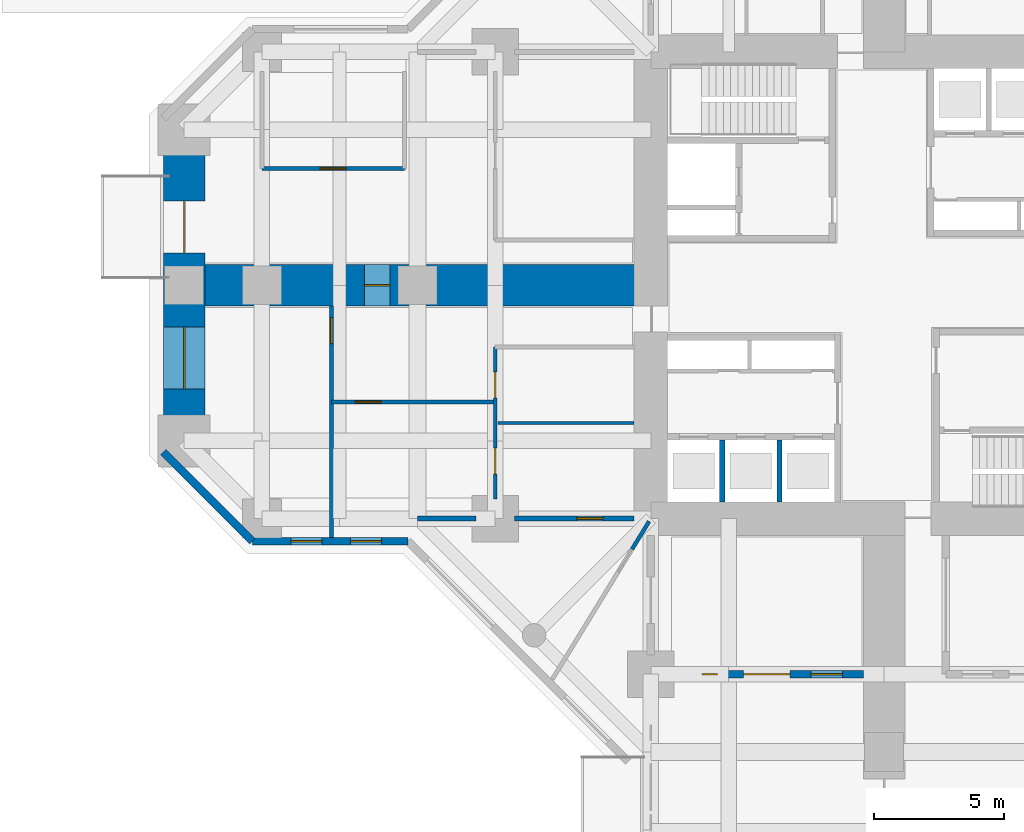
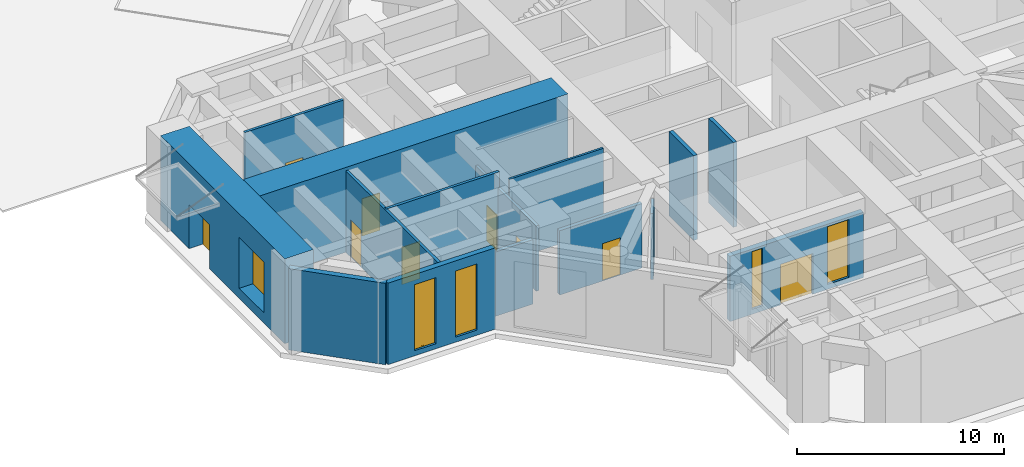
# One storey, part 5 of 14: 15 walls, 9 doors, 5 windows, 14 openings.
"""IFC4 building model written with IfcOpenShell, lengths in metres."""

from ifc_helpers import new_model, si_unit, direction, frame, frame_2d, origin, place, context, subcontext, project, spatial, rectangle, hollow_rectangle, extrude, material, layer, layer_set, constituent, constituent_set, type_object, element, fill, save


model = new_model("IFC4")

# Units and contexts
model_context = context("Model", 3, precision=1e-05, world=origin(), true_north=direction((0.0, 1.0)))
body_context = subcontext(model_context, "Body", "Model", "MODEL_VIEW")
ifc_project = project(units=[si_unit("LENGTHUNIT", "METRE"), si_unit("AREAUNIT", "SQUARE_METRE"), si_unit("VOLUMEUNIT", "CUBIC_METRE"), si_unit("PLANEANGLEUNIT", "RADIAN"), si_unit("MASSUNIT", "GRAM", prefix="KILO")], contexts=[model_context])

# Site, building, storey
site_placement = place(None, origin())
site = spatial("IfcSite", under=ifc_project, at=site_placement, CompositionType="ELEMENT")
building_placement = place(site_placement, origin())
building = spatial("IfcBuilding", under=site, at=building_placement, Name="Torre Cruceta", CompositionType="ELEMENT")
storey_placement = place(building_placement, origin())
storey = spatial("IfcBuildingStorey", under=building, at=storey_placement, Name="L00", CompositionType="ELEMENT", Elevation=0.0)

# Wall, openings, door, windows
ifc_material_1 = material(Name="Concrete G30 (fck 30 MPa)", Category="concrete")
ifc_layer_1 = layer(ifc_material_1, 0.300048828125)
ifc_layer_set_1 = layer_set([ifc_layer_1], Name="Concrete G30 (fck 30 MPa)")
wall_type_1 = type_object("IfcWallType", Name="CONCOURSE FRONT WALL 300", PredefinedType="SOLIDWALL", material=ifc_layer_set_1)
wall_1_placement = place(storey_placement, frame((-8.25, -15.0, 0.0), z_axis=(0.0, 0.0, 1.0), x_axis=(1.0, 0.0, 0.0)))
wall_1 = element("IfcWall", 1, at=wall_1_placement, inside=storey, type_object=wall_type_1, Name="EW3 L00-S-BFR", PredefinedType="SOLIDWALL", context=body_context, shape_type="SweptSolid", body=[
    extrude(rectangle(XDim=7.449951171875, YDim=0.300048828125, at=frame_2d((3.72509765625, 0.0))), origin(), (0.0, 0.0, 1.0), 3.85009765625),
])
opening_1_placement = place(wall_1_placement, frame((2.824951171875, 0.0, 0.0)))
opening_1 = element("IfcOpeningElement", 2, at=opening_1_placement, cuts=wall_1, Name="Opening D13", PredefinedType="OPENING", context=body_context, shape_type="SweptSolid", body=[
    extrude(rectangle(XDim=1.800048828125, YDim=2.39990234375, at=frame_2d((0.89990234375, 1.199951171875))), frame((0.0, 0.159912109375, 0.0), z_axis=(0.0, -1.0, 0.0), x_axis=(1.0, 0.0, 0.0)), (0.0, 0.0, 1.0), 0.320068359375),
])
opening_2_placement = place(wall_1_placement, frame((1.22509765625, 0.0, 0.300048828125)))
opening_2 = element("IfcOpeningElement", 3, at=opening_2_placement, cuts=wall_1, Name="Opening SF4", PredefinedType="OPENING", context=body_context, shape_type="SweptSolid", body=[
    extrude(rectangle(XDim=0.60009765625, YDim=3.39990234375, at=frame_2d((0.300048828125, 1.699951171875))), frame((0.0, 0.159912109375, 0.0), z_axis=(0.0, -1.0, 0.0), x_axis=(1.0, 0.0, 0.0)), (0.0, 0.0, 1.0), 0.320068359375),
])
opening_3_placement = place(wall_1_placement, frame((5.4375, 0.0, 0.300048828125)))
opening_3 = element("IfcOpeningElement", 4, at=opening_3_placement, cuts=wall_1, Name="Opening SF6", PredefinedType="OPENING", context=body_context, shape_type="SweptSolid", body=[
    extrude(rectangle(XDim=1.199951171875, YDim=3.39990234375, at=frame_2d((0.60009765625, 1.699951171875))), frame((0.0, 0.159912109375, 0.0), z_axis=(0.0, -1.0, 0.0), x_axis=(1.0, 0.0, 0.0)), (0.0, 0.0, 1.0), 0.320068359375),
])
ifc_material_2 = material(Name="Aluminium 6063-T6", Category="aluminium")
ifc_constituent_1 = constituent(ifc_material_2, Name="Frame")
ifc_material_3 = material(Name="Laminated safety glass", Category="glass")
ifc_constituent_2 = constituent(ifc_material_3, Name="Glazing")
ifc_constituent_set_1 = constituent_set(constituents=[ifc_constituent_1, ifc_constituent_2], Name="Aluminium glazed door")
door_type_1 = type_object("IfcDoorType", Name="CONCOURSE ENTRANCE DOOR 1800X2400", OperationType="DOUBLE_DOOR_DOUBLE_SWING", PredefinedType="DOOR", material=ifc_constituent_set_1)
door_1_placement = place(opening_1_placement, origin())
door_1 = element("IfcDoor", 5, at=door_1_placement, inside=storey, type_object=door_type_1, Name="D13 L00-S-BFR-D1", OperationType="DOUBLE_DOOR_DOUBLE_SWING", OverallHeight=2.39990234375, OverallWidth=1.800048828125, PredefinedType="DOOR", context=body_context, shape_type="SweptSolid", body=[
    extrude(hollow_rectangle(XDim=1.800048828125, YDim=2.39990234375, WallThickness=0.06005859375, at=frame_2d((0.89990234375, 1.199951171875))), frame((0.0, 0.02490234375, 0.0), z_axis=(0.0, -1.0, 0.0), x_axis=(1.0, 0.0, 0.0)), (0.0, 0.0, 1.0), 0.050048828125),
    extrude(rectangle(XDim=1.678955078125, YDim=2.27880859375, at=frame_2d((0.89990234375, 1.199951171875))), frame((0.0, 0.02490234375, 0.0), z_axis=(0.0, -1.0, 0.0), x_axis=(1.0, 0.0, 0.0)), (0.0, 0.0, 1.0), 0.050048828125),
])
fill(opening_1, door_1)
ifc_material_4 = material(Name="Aluminium window frame", Category="aluminium")
ifc_constituent_3 = constituent(ifc_material_4, Name="Frame")
ifc_material_5 = material(Name="Laminated insulating glass unit, low-iron clear", Category="glass")
ifc_constituent_4 = constituent(ifc_material_5, Name="Glazing")
ifc_constituent_set_2 = constituent_set(constituents=[ifc_constituent_3, ifc_constituent_4], Name="Aluminium window")
window_type_1 = type_object("IfcWindowType", Name="SHOPFRONT SIDELIGHT 600X3400", PartitioningType="SINGLE_PANEL", PredefinedType="WINDOW", material=ifc_constituent_set_2)
window_1_placement = place(opening_2_placement, origin())
window_1 = element("IfcWindow", 6, at=window_1_placement, inside=storey, type_object=window_type_1, Name="SF4 L00 L00-S-BFR 1", OverallHeight=3.39990234375, OverallWidth=0.60009765625, PartitioningType="SINGLE_PANEL", PredefinedType="WINDOW", context=body_context, shape_type="SweptSolid", body=[
    extrude(hollow_rectangle(XDim=0.60009765625, YDim=3.39990234375, WallThickness=0.06005859375, at=frame_2d((0.300048828125, 1.699951171875))), frame((0.0, 0.030029296875, 0.0), z_axis=(0.0, -1.0, 0.0), x_axis=(1.0, 0.0, 0.0)), (0.0, 0.0, 1.0), 0.06005859375),
    extrude(rectangle(XDim=0.47900390625, YDim=3.27880859375, at=frame_2d((0.300048828125, 1.699951171875))), frame((0.0, 0.030029296875, 0.0), z_axis=(0.0, -1.0, 0.0), x_axis=(1.0, 0.0, 0.0)), (0.0, 0.0, 1.0), 0.06005859375),
])
fill(opening_2, window_1)
ifc_material_6 = material(Name="Aluminium window frame", Category="aluminium")
ifc_constituent_5 = constituent(ifc_material_6, Name="Frame")
ifc_material_7 = material(Name="Laminated insulating glass unit, low-iron clear", Category="glass")
ifc_constituent_6 = constituent(ifc_material_7, Name="Glazing")
ifc_constituent_set_3 = constituent_set(constituents=[ifc_constituent_5, ifc_constituent_6], Name="Aluminium window")
window_type_2 = type_object("IfcWindowType", Name="SHOPFRONT WINDOW 1200X3400", PartitioningType="SINGLE_PANEL", PredefinedType="WINDOW", material=ifc_constituent_set_3)
window_2_placement = place(opening_3_placement, origin())
window_2 = element("IfcWindow", 7, at=window_2_placement, inside=storey, type_object=window_type_2, Name="SF6 L00 L00-S-BFR 2", OverallHeight=3.39990234375, OverallWidth=1.199951171875, PartitioningType="SINGLE_PANEL", PredefinedType="WINDOW", context=body_context, shape_type="SweptSolid", body=[
    extrude(hollow_rectangle(XDim=1.199951171875, YDim=3.39990234375, WallThickness=0.06005859375, at=frame_2d((0.60009765625, 1.699951171875))), frame((0.0, 0.030029296875, 0.0), z_axis=(0.0, -1.0, 0.0), x_axis=(1.0, 0.0, 0.0)), (0.0, 0.0, 1.0), 0.06005859375),
    extrude(rectangle(XDim=1.078857421875, YDim=3.27880859375, at=frame_2d((0.60009765625, 1.699951171875))), frame((0.0, 0.030029296875, 0.0), z_axis=(0.0, -1.0, 0.0), x_axis=(1.0, 0.0, 0.0)), (0.0, 0.0, 1.0), 0.06005859375),
])
fill(opening_3, window_2)

# Wall
ifc_material_8 = material(Name="Concrete G30 (fck 30 MPa)", Category="concrete")
ifc_layer_2 = layer(ifc_material_8, 0.300048828125)
ifc_layer_set_2 = layer_set([ifc_layer_2], Name="Concrete G30 (fck 30 MPa)")
wall_type_2 = type_object("IfcWallType", Name="EXPOSED CONCRETE FACADE WALL 300", PredefinedType="SOLIDWALL", material=ifc_layer_set_2)
wall_2_placement = place(storey_placement, frame((-27.800048828125, -6.430419921875, 0.0), z_axis=(0.0, 0.0, 1.0), x_axis=(0.707106781187, -0.707106781187, 0.0)))
element("IfcWall", 8, at=wall_2_placement, inside=storey, type_object=wall_type_2, Name="EW1 facade wall L00 W chamfer 15", PredefinedType="SOLIDWALL", context=body_context, shape_type="SweptSolid", body=[
    extrude(rectangle(XDim=4.864501953125, YDim=0.300048828125, at=frame_2d((2.43212890625, 0.0))), origin(), (0.0, 0.0, 1.0), 4.800048828125),
])

# Wall, openings, windows
wall_3_placement = place(storey_placement, frame((-24.3603515625, -9.8701171875, 0.0), z_axis=(0.0, 0.0, 1.0), x_axis=(1.0, 0.0, 0.0)))
wall_3 = element("IfcWall", 9, at=wall_3_placement, inside=storey, type_object=wall_type_2, Name="EW1 facade wall L00 W side 16", PredefinedType="SOLIDWALL", context=body_context, shape_type="SweptSolid", body=[
    extrude(rectangle(XDim=6.0, YDim=0.300048828125, at=frame_2d((3.0, 0.0))), origin(), (0.0, 0.0, 1.0), 4.800048828125),
])
opening_4_placement = place(wall_3_placement, frame((1.475341796875, 0.0, 0.300048828125)))
opening_4 = element("IfcOpeningElement", 10, at=opening_4_placement, cuts=wall_3, Name="Opening SF3", PredefinedType="OPENING", context=body_context, shape_type="SweptSolid", body=[
    extrude(rectangle(XDim=1.199951171875, YDim=3.89990234375, at=frame_2d((0.60009765625, 1.949951171875))), frame((0.0, 0.159912109375, 0.0), z_axis=(0.0, -1.0, 0.0), x_axis=(1.0, 0.0, 0.0)), (0.0, 0.0, 1.0), 0.320068359375),
])
opening_5_placement = place(wall_3_placement, frame((3.770263671875, 0.0, 0.300048828125)))
opening_5 = element("IfcOpeningElement", 11, at=opening_5_placement, cuts=wall_3, Name="Opening SF3", PredefinedType="OPENING", context=body_context, shape_type="SweptSolid", body=[
    extrude(rectangle(XDim=1.199951171875, YDim=3.89990234375, at=frame_2d((0.60009765625, 1.949951171875))), frame((0.0, 0.159912109375, 0.0), z_axis=(0.0, -1.0, 0.0), x_axis=(1.0, 0.0, 0.0)), (0.0, 0.0, 1.0), 0.320068359375),
])
ifc_material_9 = material(Name="Aluminium window frame", Category="aluminium")
ifc_constituent_7 = constituent(ifc_material_9, Name="Frame")
ifc_material_10 = material(Name="Laminated insulating glass unit, low-iron clear", Category="glass")
ifc_constituent_8 = constituent(ifc_material_10, Name="Glazing")
ifc_constituent_set_4 = constituent_set(constituents=[ifc_constituent_7, ifc_constituent_8], Name="Aluminium window")
window_type_3 = type_object("IfcWindowType", Name="SHOPFRONT WINDOW 1200X3900", PartitioningType="SINGLE_PANEL", PredefinedType="WINDOW", material=ifc_constituent_set_4)
window_3_placement = place(opening_4_placement, origin())
window_3 = element("IfcWindow", 12, at=window_3_placement, inside=storey, type_object=window_type_3, Name="SF3 L00 W 1", OverallHeight=3.89990234375, OverallWidth=1.199951171875, PartitioningType="SINGLE_PANEL", PredefinedType="WINDOW", context=body_context, shape_type="SweptSolid", body=[
    extrude(hollow_rectangle(XDim=1.199951171875, YDim=3.89990234375, WallThickness=0.06005859375, at=frame_2d((0.60009765625, 1.949951171875))), frame((0.0, 0.030029296875, 0.0), z_axis=(0.0, -1.0, 0.0), x_axis=(1.0, 0.0, 0.0)), (0.0, 0.0, 1.0), 0.06005859375),
    extrude(rectangle(XDim=1.078857421875, YDim=3.77880859375, at=frame_2d((0.60009765625, 1.949951171875))), frame((0.0, 0.030029296875, 0.0), z_axis=(0.0, -1.0, 0.0), x_axis=(1.0, 0.0, 0.0)), (0.0, 0.0, 1.0), 0.06005859375),
])
fill(opening_4, window_3)
window_4_placement = place(opening_5_placement, origin())
window_4 = element("IfcWindow", 13, at=window_4_placement, inside=storey, type_object=window_type_3, Name="SF3 L00 W 2", OverallHeight=3.89990234375, OverallWidth=1.199951171875, PartitioningType="SINGLE_PANEL", PredefinedType="WINDOW", context=body_context, shape_type="SweptSolid", body=[
    extrude(hollow_rectangle(XDim=1.199951171875, YDim=3.89990234375, WallThickness=0.06005859375, at=frame_2d((0.60009765625, 1.949951171875))), frame((0.0, 0.030029296875, 0.0), z_axis=(0.0, -1.0, 0.0), x_axis=(1.0, 0.0, 0.0)), (0.0, 0.0, 1.0), 0.06005859375),
    extrude(rectangle(XDim=1.078857421875, YDim=3.77880859375, at=frame_2d((0.60009765625, 1.949951171875))), frame((0.0, 0.030029296875, 0.0), z_axis=(0.0, -1.0, 0.0), x_axis=(1.0, 0.0, 0.0)), (0.0, 0.0, 1.0), 0.06005859375),
])
fill(opening_5, window_4)

# Walls
ifc_material_11 = material(Name="Concrete G35 (fck 35 MPa)", Category="concrete")
ifc_layer_3 = layer(ifc_material_11, 0.199951171875)
ifc_layer_set_3 = layer_set([ifc_layer_3], Name="Concrete G35 (fck 35 MPa)")
wall_type_3 = type_object("IfcWallType", Name="LIFT SHAFT WALL 200", PredefinedType="PARTITIONING", material=ifc_layer_set_3)
for number, where, z_axis, x_axis, name in (
    (14, (-4.033447265625, -5.97509765625, 0.0), (0.0, 0.0, 1.0), (0.0, -1.0, 0.0), "SW1 L00 SW-LS1"),
    (15, (-6.24169921875, -5.97509765625, 0.0), (0.0, 0.0, 1.0), (0.0, -1.0, 0.0), "SW1 L00 SW-LS2"),
):
    element("IfcWall", number, at=place(storey_placement, frame(where, z_axis=z_axis, x_axis=x_axis)), inside=storey, type_object=wall_type_3, Name=name, PredefinedType="PARTITIONING", context=body_context, shape_type="SweptSolid", body=[
        extrude(rectangle(XDim=2.375, YDim=0.199951171875, at=frame_2d((1.1875, 0.0))), origin(), (0.0, 0.0, 1.0), 5.0),
    ])

# Wall, openings, door, window
ifc_material_12 = material(Name="Concrete G60 (fck 60 MPa)", Category="concrete")
ifc_layer_4 = layer(ifc_material_12, 1.60009765625)
ifc_layer_set_4 = layer_set([ifc_layer_4], Name="Concrete G60 (fck 60 MPa)")
wall_type_4 = type_object("IfcWallType", Name="NOSE WALL 1600 G60", PredefinedType="SHEAR", material=ifc_layer_set_4)
wall_4_placement = place(storey_placement, frame((-27.0, 6.0, 0.0), z_axis=(0.0, 0.0, 1.0), x_axis=(0.0, -1.0, 0.0)))
wall_4 = element("IfcWall", 16, at=wall_4_placement, inside=storey, type_object=wall_type_4, Name="NW0 nose wall L00 W", PredefinedType="SHEAR", context=body_context, shape_type="SweptSolid", body=[
    extrude(rectangle(XDim=12.0, YDim=1.60009765625, at=frame_2d((6.0, 0.0))), origin(), (0.0, 0.0, 1.0), 5.0),
])
opening_6_placement = place(wall_4_placement, frame((2.75, 0.0, 0.0)))
opening_6 = element("IfcOpeningElement", 17, at=opening_6_placement, cuts=wall_4, Name="Opening D9", PredefinedType="OPENING", context=body_context, shape_type="SweptSolid", body=[
    extrude(rectangle(XDim=2.0, YDim=2.60009765625, at=frame_2d((1.0, 1.300048828125))), frame((0.0, 0.81005859375, 0.0), z_axis=(0.0, -1.0, 0.0), x_axis=(1.0, 0.0, 0.0)), (0.0, 0.0, 1.0), 1.6201171875),
])
opening_7_placement = place(wall_4_placement, frame((7.60009765625, 0.0, 0.60009765625)))
opening_7 = element("IfcOpeningElement", 18, at=opening_7_placement, cuts=wall_4, Name="Opening WN2", PredefinedType="OPENING", context=body_context, shape_type="SweptSolid", body=[
    extrude(rectangle(XDim=2.39990234375, YDim=3.0, at=frame_2d((1.199951171875, 1.5))), frame((0.0, 0.81005859375, 0.0), z_axis=(0.0, -1.0, 0.0), x_axis=(1.0, 0.0, 0.0)), (0.0, 0.0, 1.0), 1.6201171875),
])
ifc_material_13 = material(Name="Aluminium door frame", Category="aluminium")
ifc_constituent_9 = constituent(ifc_material_13, Name="Frame")
ifc_material_14 = material(Name="Laminated safety glass", Category="glass")
ifc_constituent_10 = constituent(ifc_material_14, Name="Glazing")
ifc_constituent_set_5 = constituent_set(constituents=[ifc_constituent_9, ifc_constituent_10], Name="Aluminium glazed door")
door_type_2 = type_object("IfcDoorType", Name="ENTRANCE DOUBLE DOOR 2000X2600", OperationType="DOUBLE_DOOR_DOUBLE_SWING", PredefinedType="DOOR", material=ifc_constituent_set_5)
door_2_placement = place(opening_6_placement, origin())
door_2 = element("IfcDoor", 19, at=door_2_placement, inside=storey, type_object=door_type_2, Name="D9 entrance double door L00 W", OperationType="DOUBLE_DOOR_DOUBLE_SWING", OverallHeight=2.60009765625, OverallWidth=2.0, PredefinedType="DOOR", context=body_context, shape_type="SweptSolid", body=[
    extrude(hollow_rectangle(XDim=2.0, YDim=2.60009765625, WallThickness=0.06005859375, at=frame_2d((1.0, 1.300048828125))), frame((0.0, 0.02490234375, 0.0), z_axis=(0.0, -1.0, 0.0), x_axis=(1.0, 0.0, 0.0)), (0.0, 0.0, 1.0), 0.050048828125),
    extrude(rectangle(XDim=1.87890625, YDim=2.47900390625, at=frame_2d((1.0, 1.300048828125))), frame((0.0, 0.02490234375, 0.0), z_axis=(0.0, -1.0, 0.0), x_axis=(1.0, 0.0, 0.0)), (0.0, 0.0, 1.0), 0.050048828125),
])
fill(opening_6, door_2)
ifc_material_15 = material(Name="Aluminium window frame", Category="aluminium")
ifc_constituent_11 = constituent(ifc_material_15, Name="Frame")
ifc_material_16 = material(Name="Laminated insulating glass unit, low-iron clear", Category="glass")
ifc_constituent_12 = constituent(ifc_material_16, Name="Glazing")
ifc_constituent_set_6 = constituent_set(constituents=[ifc_constituent_11, ifc_constituent_12], Name="Aluminium window")
window_type_4 = type_object("IfcWindowType", Name="GROUND FLOOR WINDOW 2400X3000", PartitioningType="SINGLE_PANEL", PredefinedType="WINDOW", material=ifc_constituent_set_6)
window_5_placement = place(opening_7_placement, origin())
window_5 = element("IfcWindow", 20, at=window_5_placement, inside=storey, type_object=window_type_4, Name="WN2 L00 W 2", OverallHeight=3.0, OverallWidth=2.39990234375, PartitioningType="SINGLE_PANEL", PredefinedType="WINDOW", context=body_context, shape_type="SweptSolid", body=[
    extrude(hollow_rectangle(XDim=2.39990234375, YDim=3.0, WallThickness=0.06005859375, at=frame_2d((1.199951171875, 1.5))), frame((0.0, 0.030029296875, 0.0), z_axis=(0.0, -1.0, 0.0), x_axis=(1.0, 0.0, 0.0)), (0.0, 0.0, 1.0), 0.06005859375),
    extrude(rectangle(XDim=2.27880859375, YDim=2.87890625, at=frame_2d((1.199951171875, 1.5))), frame((0.0, 0.030029296875, 0.0), z_axis=(0.0, -1.0, 0.0), x_axis=(1.0, 0.0, 0.0)), (0.0, 0.0, 1.0), 0.06005859375),
])
fill(opening_7, window_5)

# Wall, openings, doors
ifc_material_17 = material(Name="Plasterboard on steel studs", Category="steel")
ifc_layer_5 = layer(ifc_material_17, 0.14990234375)
ifc_layer_set_5 = layer_set([ifc_layer_5], Name="Plasterboard on steel studs")
wall_type_5 = type_object("IfcWallType", Name="PARTITION 150", PredefinedType="PARTITIONING", material=ifc_layer_set_5)
wall_5_placement = place(storey_placement, frame((-15.0, -2.375, 0.0), z_axis=(0.0, 0.0, 1.0), x_axis=(0.0, -1.0, 0.0)))
wall_5 = element("IfcWall", 21, at=wall_5_placement, inside=storey, type_object=wall_type_5, Name="PT1 L00-W-BFL", PredefinedType="PARTITIONING", context=body_context, shape_type="SweptSolid", body=[
    extrude(rectangle(XDim=5.875, YDim=0.14990234375, at=frame_2d((2.9375, 0.0))), origin(), (0.0, 0.0, 1.0), 3.85009765625),
])
opening_8_placement = place(wall_5_placement, frame((0.96875, 0.0, 0.0)))
opening_8 = element("IfcOpeningElement", 22, at=opening_8_placement, cuts=wall_5, Name="Opening D3", PredefinedType="OPENING", context=body_context, shape_type="SweptSolid", body=[
    extrude(rectangle(XDim=1.0, YDim=2.10009765625, at=frame_2d((0.5, 1.050048828125))), frame((0.0, 0.0849609375, 0.0), z_axis=(0.0, -1.0, 0.0), x_axis=(1.0, 0.0, 0.0)), (0.0, 0.0, 1.0), 0.169921875),
])
opening_9_placement = place(wall_5_placement, frame((3.90625, 0.0, 0.0)))
opening_9 = element("IfcOpeningElement", 23, at=opening_9_placement, cuts=wall_5, Name="Opening D3", PredefinedType="OPENING", context=body_context, shape_type="SweptSolid", body=[
    extrude(rectangle(XDim=1.0, YDim=2.10009765625, at=frame_2d((0.5, 1.050048828125))), frame((0.0, 0.0849609375, 0.0), z_axis=(0.0, -1.0, 0.0), x_axis=(1.0, 0.0, 0.0)), (0.0, 0.0, 1.0), 0.169921875),
])
ifc_material_18 = material(Name="Steel DX51D", Category="steel")
ifc_constituent_13 = constituent(ifc_material_18, Name="Leaf and frame")
ifc_material_19 = material(Name="Polyester powder coating", Category="paint")
ifc_constituent_14 = constituent(ifc_material_19, Name="Finish")
ifc_constituent_set_7 = constituent_set(constituents=[ifc_constituent_13, ifc_constituent_14], Name="Steel fire door")
door_type_3 = type_object("IfcDoorType", Name="FIRE DOOR 1000X2100", OperationType="SINGLE_SWING_LEFT", PredefinedType="DOOR", material=ifc_constituent_set_7)
door_3_placement = place(opening_8_placement, origin())
door_3 = element("IfcDoor", 24, at=door_3_placement, inside=storey, type_object=door_type_3, Name="D3 L00-W-BFL-D1", OperationType="SINGLE_SWING_LEFT", OverallHeight=2.10009765625, OverallWidth=1.0, PredefinedType="DOOR", context=body_context, shape_type="SweptSolid", body=[
    extrude(rectangle(XDim=1.0, YDim=2.10009765625, at=frame_2d((0.5, 1.050048828125))), frame((0.0, 0.02490234375, 0.0), z_axis=(0.0, -1.0, 0.0), x_axis=(1.0, 0.0, 0.0)), (0.0, 0.0, 1.0), 0.050048828125),
])
fill(opening_8, door_3)
door_4_placement = place(opening_9_placement, origin())
door_4 = element("IfcDoor", 25, at=door_4_placement, inside=storey, type_object=door_type_3, Name="D3 L00-W-BFL-D2", OperationType="SINGLE_SWING_LEFT", OverallHeight=2.10009765625, OverallWidth=1.0, PredefinedType="DOOR", context=body_context, shape_type="SweptSolid", body=[
    extrude(rectangle(XDim=1.0, YDim=2.10009765625, at=frame_2d((0.5, 1.050048828125))), frame((0.0, 0.02490234375, 0.0), z_axis=(0.0, -1.0, 0.0), x_axis=(1.0, 0.0, 0.0)), (0.0, 0.0, 1.0), 0.050048828125),
])
fill(opening_9, door_4)

# Wall, opening, door
wall_6_placement = place(storey_placement, frame((-21.320068359375, -0.800048828125, 0.0), z_axis=(0.0, 0.0, 1.0), x_axis=(0.0, -1.0, 0.0)))
wall_6 = element("IfcWall", 26, at=wall_6_placement, inside=storey, type_object=wall_type_5, Name="PT1 L00-W-TWL", PredefinedType="PARTITIONING", context=body_context, shape_type="SweptSolid", body=[
    extrude(rectangle(XDim=8.919921875, YDim=0.14990234375, at=frame_2d((4.4599609375, 0.0))), origin(), (0.0, 0.0, 1.0), 4.800048828125),
])
opening_10_placement = place(wall_6_placement, frame((0.449951171875, 0.0, 0.0)))
opening_10 = element("IfcOpeningElement", 27, at=opening_10_placement, cuts=wall_6, Name="Opening D14", PredefinedType="OPENING", context=body_context, shape_type="SweptSolid", body=[
    extrude(rectangle(XDim=1.0, YDim=2.199951171875, at=frame_2d((0.5, 1.10009765625))), frame((0.0, 0.0849609375, 0.0), z_axis=(0.0, -1.0, 0.0), x_axis=(1.0, 0.0, 0.0)), (0.0, 0.0, 1.0), 0.169921875),
])
ifc_material_20 = material(Name="Steel DX51D", Category="steel")
ifc_constituent_15 = constituent(ifc_material_20, Name="Leaf and frame")
ifc_material_21 = material(Name="Polyester powder coating", Category="paint")
ifc_constituent_16 = constituent(ifc_material_21, Name="Finish")
ifc_material_22 = material(Name="Fire-resisting glass", Category="glass")
ifc_constituent_17 = constituent(ifc_material_22, Name="Vision panel")
ifc_constituent_set_8 = constituent_set(constituents=[ifc_constituent_15, ifc_constituent_16, ifc_constituent_17], Name="Steel fire door with vision panel")
door_type_4 = type_object("IfcDoorType", Name="FIRE DOOR VISION PANEL 1000X2200", OperationType="SINGLE_SWING_RIGHT", PredefinedType="DOOR", material=ifc_constituent_set_8)
door_5_placement = place(opening_10_placement, frame((1.0, 0.0, 0.0), z_axis=(0.0, 0.0, 1.0), x_axis=(-1.0, 0.0, 0.0)))
door_5 = element("IfcDoor", 28, at=door_5_placement, inside=storey, type_object=door_type_4, Name="D14 L00-W-TWL-D1", OperationType="SINGLE_SWING_RIGHT", OverallHeight=2.199951171875, OverallWidth=1.0, PredefinedType="DOOR", context=body_context, shape_type="SweptSolid", body=[
    extrude(rectangle(XDim=1.0, YDim=2.199951171875, at=frame_2d((0.5, 1.10009765625))), frame((0.0, 0.025146484375, 0.0), z_axis=(0.0, -1.0, 0.0), x_axis=(1.0, 0.0, 0.0)), (0.0, 0.0, 1.0), 0.050048828125),
])
fill(opening_10, door_5)

wall_7_placement = place(storey_placement, frame((-15.0, -4.5, 0.0), z_axis=(0.0, 0.0, 1.0), x_axis=(-1.0, 0.0, 0.0)))
wall_7 = element("IfcWall", 29, at=wall_7_placement, inside=storey, type_object=wall_type_5, Name="PT1 L00-W-SRW", PredefinedType="PARTITIONING", context=body_context, shape_type="SweptSolid", body=[
    extrude(rectangle(XDim=6.320068359375, YDim=0.14990234375, at=frame_2d((3.16015625, 0.0))), origin(), (0.0, 0.0, 1.0), 4.800048828125),
])
opening_11_placement = place(wall_7_placement, frame((4.39990234375, 0.0, 0.0)))
opening_11 = element("IfcOpeningElement", 30, at=opening_11_placement, cuts=wall_7, Name="Opening D14", PredefinedType="OPENING", context=body_context, shape_type="SweptSolid", body=[
    extrude(rectangle(XDim=1.0, YDim=2.199951171875, at=frame_2d((0.5, 1.10009765625))), frame((0.0, 0.0849609375, 0.0), z_axis=(0.0, -1.0, 0.0), x_axis=(1.0, 0.0, 0.0)), (0.0, 0.0, 1.0), 0.169921875),
])
door_6_placement = place(opening_11_placement, origin())
door_6 = element("IfcDoor", 31, at=door_6_placement, inside=storey, type_object=door_type_4, Name="D14 L00-W-SRW-D1", OperationType="SINGLE_SWING_RIGHT", OverallHeight=2.199951171875, OverallWidth=1.0, PredefinedType="DOOR", context=body_context, shape_type="SweptSolid", body=[
    extrude(rectangle(XDim=1.0, YDim=2.199951171875, at=frame_2d((0.5, 1.10009765625))), frame((0.0, 0.02490234375, 0.0), z_axis=(0.0, -1.0, 0.0), x_axis=(1.0, 0.0, 0.0)), (0.0, 0.0, 1.0), 0.050048828125),
])
fill(opening_11, door_6)

wall_8_placement = place(storey_placement, frame((-18.5, 4.5, 0.0), z_axis=(0.0, 0.0, 1.0), x_axis=(-1.0, 0.0, 0.0)))
wall_8 = element("IfcWall", 32, at=wall_8_placement, inside=storey, type_object=wall_type_5, Name="PT1 L00-W-COWW", PredefinedType="PARTITIONING", context=body_context, shape_type="SweptSolid", body=[
    extrude(rectangle(XDim=5.5, YDim=0.14990234375, at=frame_2d((2.75, 0.0))), origin(), (0.0, 0.0, 1.0), 4.800048828125),
])
opening_12_placement = place(wall_8_placement, frame((2.25, 0.0, 0.0)))
opening_12 = element("IfcOpeningElement", 33, at=opening_12_placement, cuts=wall_8, Name="Opening D14", PredefinedType="OPENING", context=body_context, shape_type="SweptSolid", body=[
    extrude(rectangle(XDim=1.0, YDim=2.199951171875, at=frame_2d((0.5, 1.10009765625))), frame((0.0, 0.0849609375, 0.0), z_axis=(0.0, -1.0, 0.0), x_axis=(1.0, 0.0, 0.0)), (0.0, 0.0, 1.0), 0.169921875),
])
door_7_placement = place(opening_12_placement, frame((1.0, 0.0, 0.0), z_axis=(0.0, 0.0, 1.0), x_axis=(-1.0, 0.0, 0.0)))
door_7 = element("IfcDoor", 34, at=door_7_placement, inside=storey, type_object=door_type_4, Name="D14 L00-W-COWW-D1", OperationType="SINGLE_SWING_RIGHT", OverallHeight=2.199951171875, OverallWidth=1.0, PredefinedType="DOOR", context=body_context, shape_type="SweptSolid", body=[
    extrude(rectangle(XDim=1.0, YDim=2.199951171875, at=frame_2d((0.5, 1.10009765625))), frame((0.0, 0.025146484375, 0.0), z_axis=(0.0, -1.0, 0.0), x_axis=(1.0, 0.0, 0.0)), (0.0, 0.0, 1.0), 0.050048828125),
])
fill(opening_12, door_7)

# Wall
wall_9_placement = place(storey_placement, frame((-9.06396484375, -9.104248046875, 0.0), z_axis=(0.0, 0.0, 1.0), x_axis=(-0.522444037035, -0.852673576562, 0.0)))
element("IfcWall", 35, at=wall_9_placement, inside=storey, type_object=wall_type_5, Name="PT1 L00-WING-W-X", PredefinedType="PARTITIONING", context=body_context, shape_type="SweptSolid", body=[
    extrude(rectangle(XDim=1.26123046875, YDim=0.14990234375, at=frame_2d((0.630615234375, 0.0))), origin(), (0.0, 0.0, 1.0), 3.89990234375),
])

# Wall, opening, door
ifc_material_23 = material(Name="Concrete G60 (fck 60 MPa)", Category="concrete")
ifc_layer_6 = layer(ifc_material_23, 1.60009765625)
ifc_layer_set_6 = layer_set([ifc_layer_6], Name="Concrete G60 (fck 60 MPa)")
wall_type_6 = type_object("IfcWallType", Name="SPINE WALL 1600 G60", PredefinedType="SHEAR", material=ifc_layer_set_6)
wall_10_placement = place(storey_placement, frame((-9.0, 0.0, 0.0), z_axis=(0.0, 0.0, 1.0), x_axis=(-1.0, 0.0, 0.0)))
wall_10 = element("IfcWall", 36, at=wall_10_placement, inside=storey, type_object=wall_type_6, Name="SW2 spine wall L00 W", PredefinedType="SHEAR", context=body_context, shape_type="SweptSolid", body=[
    extrude(rectangle(XDim=18.0, YDim=1.60009765625, at=frame_2d((9.0, 0.0))), origin(), (0.0, 0.0, 1.0), 5.0),
])
opening_13_placement = place(wall_10_placement, frame((10.050048828125, 0.0, 0.0)))
opening_13 = element("IfcOpeningElement", 37, at=opening_13_placement, cuts=wall_10, Name="Opening D14", PredefinedType="OPENING", context=body_context, shape_type="SweptSolid", body=[
    extrude(rectangle(XDim=1.0, YDim=2.199951171875, at=frame_2d((0.5, 1.10009765625))), frame((0.0, 0.81005859375, 0.0), z_axis=(0.0, -1.0, 0.0), x_axis=(1.0, 0.0, 0.0)), (0.0, 0.0, 1.0), 1.6201171875),
])
door_8_placement = place(opening_13_placement, frame((1.0, 0.0, 0.0), z_axis=(0.0, 0.0, 1.0), x_axis=(-1.0, 0.0, 0.0)))
door_8 = element("IfcDoor", 38, at=door_8_placement, inside=storey, type_object=door_type_4, Name="D14 L00-W-SP1", OperationType="SINGLE_SWING_LEFT", OverallHeight=2.199951171875, OverallWidth=1.0, PredefinedType="DOOR", context=body_context, shape_type="SweptSolid", body=[
    extrude(rectangle(XDim=1.0, YDim=2.199951171875, at=frame_2d((0.5, 1.10009765625))), frame((0.0, 0.025146484375, 0.0), z_axis=(0.0, -1.0, 0.0), x_axis=(1.0, 0.0, 0.0)), (0.0, 0.0, 1.0), 0.050048828125),
])
fill(opening_13, door_8)

# Wall
ifc_material_24 = material(Name="Plasterboard on steel studs", Category="steel")
ifc_layer_7 = layer(ifc_material_24, 0.1201171875)
ifc_layer_set_7 = layer_set([ifc_layer_7], Name="Plasterboard on steel studs")
wall_type_7 = type_object("IfcWallType", Name="WC PARTITION 120", PredefinedType="PLUMBINGWALL", material=ifc_layer_set_7)
wall_11_placement = place(storey_placement, frame((-9.64990234375, -5.3125, 0.0), z_axis=(0.0, 0.0, 1.0), x_axis=(-1.0, 0.0, 0.0)))
element("IfcWall", 39, at=wall_11_placement, inside=storey, type_object=wall_type_7, Name="PT5 L00-W-BDL1", PredefinedType="PLUMBINGWALL", context=body_context, shape_type="SweptSolid", body=[
    extrude(rectangle(XDim=5.25, YDim=0.1201171875, at=frame_2d((2.625, 0.0))), origin(), (0.0, 0.0, 1.0), 4.800048828125),
])

# Wall, opening, door
ifc_material_25 = material(Name="Concrete G25 (fck 25 MPa)", Category="concrete")
ifc_layer_8 = layer(ifc_material_25, 0.199951171875)
ifc_layer_set_8 = layer_set([ifc_layer_8], Name="Concrete G25 (fck 25 MPa)")
wall_type_8 = type_object("IfcWallType", Name="WING SEPARATING WALL 200", PredefinedType="SOLIDWALL", material=ifc_layer_set_8)
wall_12_placement = place(storey_placement, frame((-9.64990234375, -9.0, 0.0), z_axis=(0.0, 0.0, 1.0), x_axis=(-1.0, 0.0, 0.0)))
wall_12 = element("IfcWall", 40, at=wall_12_placement, inside=storey, type_object=wall_type_8, Name="PT6 L00-WING-W-A1", PredefinedType="SOLIDWALL", context=body_context, shape_type="SweptSolid", body=[
    extrude(rectangle(XDim=4.60009765625, YDim=0.199951171875, at=frame_2d((2.300048828125, 0.0))), origin(), (0.0, 0.0, 1.0), 3.800048828125),
])
opening_14_placement = place(wall_12_placement, frame((1.199951171875, 0.0, 0.0)))
opening_14 = element("IfcOpeningElement", 41, at=opening_14_placement, cuts=wall_12, Name="Opening D14", PredefinedType="OPENING", context=body_context, shape_type="SweptSolid", body=[
    extrude(rectangle(XDim=1.0, YDim=2.199951171875, at=frame_2d((0.5, 1.10009765625))), frame((0.0, 0.10986328125, 0.0), z_axis=(0.0, -1.0, 0.0), x_axis=(1.0, 0.0, 0.0)), (0.0, 0.0, 1.0), 0.219970703125),
])
door_9_placement = place(opening_14_placement, frame((1.0, 0.0, 0.0), z_axis=(0.0, 0.0, 1.0), x_axis=(-1.0, 0.0, 0.0)))
door_9 = element("IfcDoor", 42, at=door_9_placement, inside=storey, type_object=door_type_4, Name="D14 L00-WING-W-A1-D1", OperationType="SINGLE_SWING_RIGHT", OverallHeight=2.199951171875, OverallWidth=1.0, PredefinedType="DOOR", context=body_context, shape_type="SweptSolid", body=[
    extrude(rectangle(XDim=1.0, YDim=2.199951171875, at=frame_2d((0.5, 1.10009765625))), frame((0.0, 0.025146484375, 0.0), z_axis=(0.0, -1.0, 0.0), x_axis=(1.0, 0.0, 0.0)), (0.0, 0.0, 1.0), 0.050048828125),
])
fill(opening_14, door_9)

# Wall
wall_13_placement = place(storey_placement, frame((-15.75, -9.0, 0.0), z_axis=(0.0, 0.0, 1.0), x_axis=(-1.0, 0.0, 0.0)))
element("IfcWall", 43, at=wall_13_placement, inside=storey, type_object=wall_type_8, Name="PT6 L00-WING-W-A2", PredefinedType="SOLIDWALL", context=body_context, shape_type="SweptSolid", body=[
    extrude(rectangle(XDim=2.25, YDim=0.199951171875, at=frame_2d((1.125, 0.0))), origin(), (0.0, 0.0, 1.0), 3.800048828125),
])

save(model, "model.ifc")
